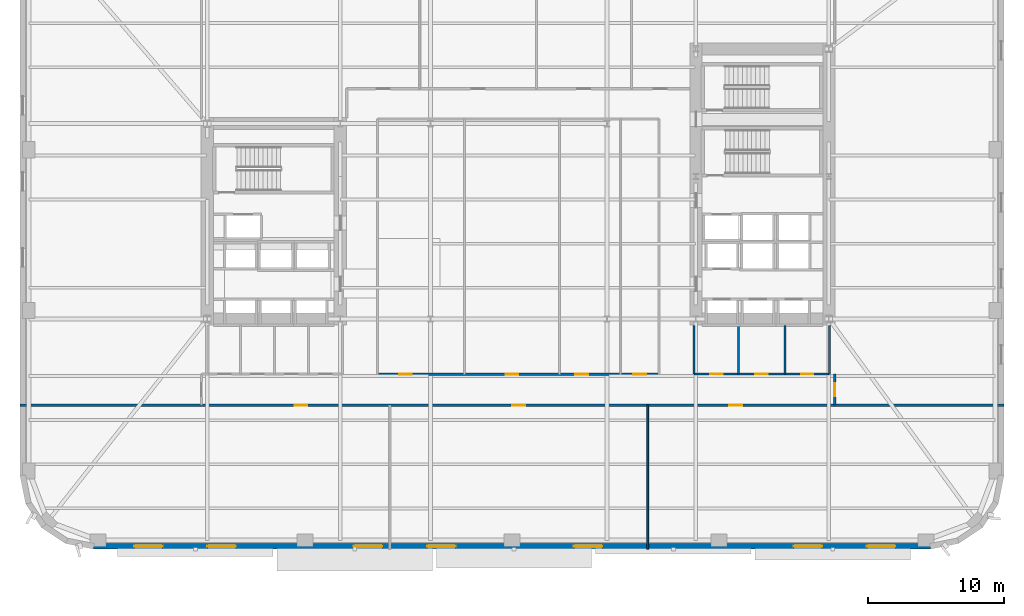
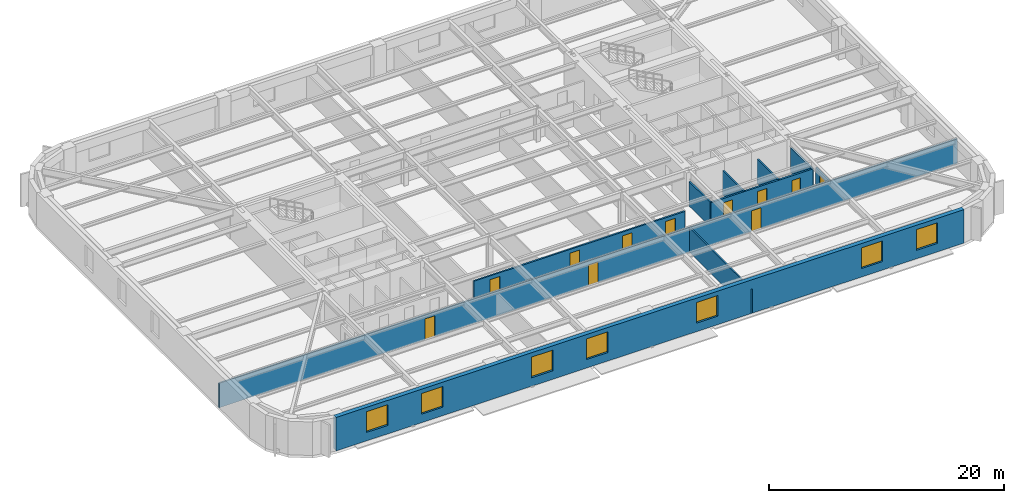
# One storey, part 5 of 15: 11 doors, 10 walls, 7 windows, 18 openings.
"""IFC4 building model written with IfcOpenShell, lengths in metres."""

from ifc_helpers import new_model, si_unit, direction, frame, frame_2d, origin, place, context, subcontext, project, spatial, rectangle, extrude, material, layer, layer_set, type_object, element, fill, save


model = new_model("IFC4")

# Units and contexts
model_context = context("Model", 3, precision=1e-05, world=origin(), true_north=direction((0.0, 1.0)))
body_context = subcontext(model_context, "Body", "Model", "MODEL_VIEW")
ifc_project = project(units=[si_unit("LENGTHUNIT", "METRE"), si_unit("AREAUNIT", "SQUARE_METRE"), si_unit("VOLUMEUNIT", "CUBIC_METRE"), si_unit("PLANEANGLEUNIT", "RADIAN"), si_unit("MASSUNIT", "GRAM", prefix="KILO")], contexts=[model_context])

# Site, building, storey
site_placement = place(None, origin())
site = spatial("IfcSite", under=ifc_project, at=site_placement, CompositionType="ELEMENT")
building_placement = place(site_placement, origin())
building = spatial("IfcBuilding", under=site, at=building_placement, Name="Kolvaren Arena Tower", CompositionType="ELEMENT")
storey_placement = place(building_placement, frame((0.0, 0.0, 60.75)))
storey = spatial("IfcBuildingStorey", under=building, at=storey_placement, Name="L12", CompositionType="ELEMENT", Elevation=60.75)

# Wall, openings, doors
ifc_material_1 = material(Name="Gypsum board acoustic assembly", Category="gypsum")
ifc_layer_1 = layer(ifc_material_1, 0.159912109375)
ifc_layer_set_1 = layer_set([ifc_layer_1], Name="Gypsum board acoustic assembly")
wall_type_1 = type_object("IfcWallType", Name="CORR-160", PredefinedType="PARTITIONING", material=ifc_layer_set_1)
wall_1_placement = place(storey_placement, frame((0.75, 13.10009765625, 0.0), z_axis=(0.0, 0.0, 1.0), x_axis=(1.0, 0.0, 0.0)))
wall_1 = element("IfcWall", 1, at=wall_1_placement, inside=storey, type_object=wall_type_1, Name="Interior Partition Wall (L12)", PredefinedType="PARTITIONING", context=body_context, shape_type="SweptSolid", body=[
    extrude(rectangle(XDim=72.5, YDim=0.159912109375, at=frame_2d((36.25, 0.0))), origin(), (0.0, 0.0, 1.0), 2.5400390625),
])
opening_1_placement = place(wall_1_placement, frame((20.22509765625, 0.0, 0.0)))
opening_1 = element("IfcOpeningElement", 2, at=opening_1_placement, cuts=wall_1, Name="Opening D05", PredefinedType="OPENING", context=body_context, shape_type="SweptSolid", body=[
    extrude(rectangle(XDim=0.949951171875, YDim=2.14990234375, at=frame_2d((0.47509765625, 1.074951171875))), frame((0.0, 0.08984375, 0.0), z_axis=(0.0, -1.0, 0.0), x_axis=(1.0, 0.0, 0.0)), (0.0, 0.0, 1.0), 0.179931640625),
])
opening_2_placement = place(wall_1_placement, frame((36.27490234375, 0.0, 0.0)))
opening_2 = element("IfcOpeningElement", 3, at=opening_2_placement, cuts=wall_1, Name="Opening D05", PredefinedType="OPENING", context=body_context, shape_type="SweptSolid", body=[
    extrude(rectangle(XDim=0.949951171875, YDim=2.14990234375, at=frame_2d((0.47509765625, 1.074951171875))), frame((0.0, 0.08984375, 0.0), z_axis=(0.0, -1.0, 0.0), x_axis=(1.0, 0.0, 0.0)), (0.0, 0.0, 1.0), 0.179931640625),
])
opening_3_placement = place(wall_1_placement, frame((52.27490234375, 0.0, 0.0)))
opening_3 = element("IfcOpeningElement", 4, at=opening_3_placement, cuts=wall_1, Name="Opening D05", PredefinedType="OPENING", context=body_context, shape_type="SweptSolid", body=[
    extrude(rectangle(XDim=0.949951171875, YDim=2.14990234375, at=frame_2d((0.47509765625, 1.074951171875))), frame((0.0, 0.08984375, 0.0), z_axis=(0.0, -1.0, 0.0), x_axis=(1.0, 0.0, 0.0)), (0.0, 0.0, 1.0), 0.179931640625),
])
ifc_material_2 = material(Name="Solid-core oak acoustic office door", Category="wood")
door_type_1 = type_object("IfcDoorType", Name="DOOR-OF-095", OperationType="NOTDEFINED", PredefinedType="DOOR", material=ifc_material_2)
door_1_placement = place(opening_1_placement, origin())
door_1 = element("IfcDoor", 5, at=door_1_placement, inside=storey, type_object=door_type_1, Name="Collaborative Work Studio Door (L12)", OperationType="SINGLE_SWING_RIGHT", OverallHeight=2.14990234375, OverallWidth=0.949951171875, PredefinedType="DOOR", context=body_context, shape_type="SweptSolid", body=[
    extrude(rectangle(XDim=0.949951171875, YDim=2.14990234375, at=frame_2d((0.47509765625, 1.074951171875))), frame((0.0, 0.02490234375, 0.0), z_axis=(0.0, -1.0, 0.0), x_axis=(1.0, 0.0, 0.0)), (0.0, 0.0, 1.0), 0.050048828125),
])
fill(opening_1, door_1)
door_2_placement = place(opening_2_placement, origin())
door_2 = element("IfcDoor", 6, at=door_2_placement, inside=storey, type_object=door_type_1, Name="Collaborative Work Studio Door (L12)", OperationType="SINGLE_SWING_LEFT", OverallHeight=2.14990234375, OverallWidth=0.949951171875, PredefinedType="DOOR", context=body_context, shape_type="SweptSolid", body=[
    extrude(rectangle(XDim=0.949951171875, YDim=2.14990234375, at=frame_2d((0.47509765625, 1.074951171875))), frame((0.0, 0.02490234375, 0.0), z_axis=(0.0, -1.0, 0.0), x_axis=(1.0, 0.0, 0.0)), (0.0, 0.0, 1.0), 0.050048828125),
])
fill(opening_2, door_2)
door_3_placement = place(opening_3_placement, origin())
door_3 = element("IfcDoor", 7, at=door_3_placement, inside=storey, type_object=door_type_1, Name="Collaborative Work Studio Door (L12)", OperationType="SINGLE_SWING_RIGHT", OverallHeight=2.14990234375, OverallWidth=0.949951171875, PredefinedType="DOOR", context=body_context, shape_type="SweptSolid", body=[
    extrude(rectangle(XDim=0.949951171875, YDim=2.14990234375, at=frame_2d((0.47509765625, 1.074951171875))), frame((0.0, 0.02490234375, 0.0), z_axis=(0.0, -1.0, 0.0), x_axis=(1.0, 0.0, 0.0)), (0.0, 0.0, 1.0), 0.050048828125),
])
fill(opening_3, door_3)

wall_2_placement = place(storey_placement, frame((27.080078125, 15.3798828125, 0.0), z_axis=(0.0, 0.0, 1.0), x_axis=(1.0, 0.0, 0.0)))
wall_2 = element("IfcWall", 8, at=wall_2_placement, inside=storey, type_object=wall_type_1, Name="Interior Partition Wall (L12)", PredefinedType="PARTITIONING", context=body_context, shape_type="SweptSolid", body=[
    extrude(rectangle(XDim=20.739990234375, YDim=0.159912109375, at=frame_2d((10.3701171875, 0.0))), origin(), (0.0, 0.0, 1.0), 2.5400390625),
])
opening_4_placement = place(wall_2_placement, frame((1.594970703125, 0.0, 0.0)))
opening_4 = element("IfcOpeningElement", 9, at=opening_4_placement, cuts=wall_2, Name="Opening D05", PredefinedType="OPENING", context=body_context, shape_type="SweptSolid", body=[
    extrude(rectangle(XDim=0.949951171875, YDim=2.14990234375, at=frame_2d((0.47509765625, 1.074951171875))), frame((0.0, 0.08984375, 0.0), z_axis=(0.0, -1.0, 0.0), x_axis=(1.0, 0.0, 0.0)), (0.0, 0.0, 1.0), 0.179931640625),
])
opening_5_placement = place(wall_2_placement, frame((9.445068359375, 0.0, 0.0)))
opening_5 = element("IfcOpeningElement", 10, at=opening_5_placement, cuts=wall_2, Name="Opening D05", PredefinedType="OPENING", context=body_context, shape_type="SweptSolid", body=[
    extrude(rectangle(XDim=0.949951171875, YDim=2.14990234375, at=frame_2d((0.47509765625, 1.074951171875))), frame((0.0, 0.08984375, 0.0), z_axis=(0.0, -1.0, 0.0), x_axis=(1.0, 0.0, 0.0)), (0.0, 0.0, 1.0), 0.179931640625),
])
opening_6_placement = place(wall_2_placement, frame((14.594970703125, 0.0, 0.0)))
opening_6 = element("IfcOpeningElement", 11, at=opening_6_placement, cuts=wall_2, Name="Opening D05", PredefinedType="OPENING", context=body_context, shape_type="SweptSolid", body=[
    extrude(rectangle(XDim=0.949951171875, YDim=2.14990234375, at=frame_2d((0.47509765625, 1.074951171875))), frame((0.0, 0.08984375, 0.0), z_axis=(0.0, -1.0, 0.0), x_axis=(1.0, 0.0, 0.0)), (0.0, 0.0, 1.0), 0.179931640625),
])
opening_7_placement = place(wall_2_placement, frame((18.844970703125, 0.0, 0.0)))
opening_7 = element("IfcOpeningElement", 12, at=opening_7_placement, cuts=wall_2, Name="Opening D05", PredefinedType="OPENING", context=body_context, shape_type="SweptSolid", body=[
    extrude(rectangle(XDim=0.949951171875, YDim=2.14990234375, at=frame_2d((0.47509765625, 1.074951171875))), frame((0.0, 0.08984375, 0.0), z_axis=(0.0, -1.0, 0.0), x_axis=(1.0, 0.0, 0.0)), (0.0, 0.0, 1.0), 0.179931640625),
])
door_4_placement = place(opening_4_placement, origin())
door_4 = element("IfcDoor", 13, at=door_4_placement, inside=storey, type_object=door_type_1, Name="Collaborative Work Studio Door (L12)", OperationType="SINGLE_SWING_LEFT", OverallHeight=2.14990234375, OverallWidth=0.949951171875, PredefinedType="DOOR", context=body_context, shape_type="SweptSolid", body=[
    extrude(rectangle(XDim=0.949951171875, YDim=2.14990234375, at=frame_2d((0.47509765625, 1.074951171875))), frame((0.0, 0.02490234375, 0.0), z_axis=(0.0, -1.0, 0.0), x_axis=(1.0, 0.0, 0.0)), (0.0, 0.0, 1.0), 0.050048828125),
])
fill(opening_4, door_4)
door_5_placement = place(opening_5_placement, origin())
door_5 = element("IfcDoor", 14, at=door_5_placement, inside=storey, type_object=door_type_1, Name="Collaborative Work Studio Door (L12)", OperationType="SINGLE_SWING_RIGHT", OverallHeight=2.14990234375, OverallWidth=0.949951171875, PredefinedType="DOOR", context=body_context, shape_type="SweptSolid", body=[
    extrude(rectangle(XDim=0.949951171875, YDim=2.14990234375, at=frame_2d((0.47509765625, 1.074951171875))), frame((0.0, 0.02490234375, 0.0), z_axis=(0.0, -1.0, 0.0), x_axis=(1.0, 0.0, 0.0)), (0.0, 0.0, 1.0), 0.050048828125),
])
fill(opening_5, door_5)
door_6_placement = place(opening_6_placement, origin())
door_6 = element("IfcDoor", 15, at=door_6_placement, inside=storey, type_object=door_type_1, Name="Executive Office Door (L12)", OperationType="SINGLE_SWING_LEFT", OverallHeight=2.14990234375, OverallWidth=0.949951171875, PredefinedType="DOOR", context=body_context, shape_type="SweptSolid", body=[
    extrude(rectangle(XDim=0.949951171875, YDim=2.14990234375, at=frame_2d((0.47509765625, 1.074951171875))), frame((0.0, 0.02490234375, 0.0), z_axis=(0.0, -1.0, 0.0), x_axis=(1.0, 0.0, 0.0)), (0.0, 0.0, 1.0), 0.050048828125),
])
fill(opening_6, door_6)
door_7_placement = place(opening_7_placement, origin())
door_7 = element("IfcDoor", 16, at=door_7_placement, inside=storey, type_object=door_type_1, Name="Boardroom Door (L12)", OperationType="SINGLE_SWING_RIGHT", OverallHeight=2.14990234375, OverallWidth=0.949951171875, PredefinedType="DOOR", context=body_context, shape_type="SweptSolid", body=[
    extrude(rectangle(XDim=0.949951171875, YDim=2.14990234375, at=frame_2d((0.47509765625, 1.074951171875))), frame((0.0, 0.02490234375, 0.0), z_axis=(0.0, -1.0, 0.0), x_axis=(1.0, 0.0, 0.0)), (0.0, 0.0, 1.0), 0.050048828125),
])
fill(opening_7, door_7)

# Wall, opening, door
wall_3_placement = place(storey_placement, frame((60.780029296875, 13.10009765625, 0.0), z_axis=(0.0, 0.0, 1.0), x_axis=(0.0, 1.0, 0.0)))
wall_3 = element("IfcWall", 17, at=wall_3_placement, inside=storey, type_object=wall_type_1, Name="Interior Partition Wall (L12)", PredefinedType="PARTITIONING", context=body_context, shape_type="SweptSolid", body=[
    extrude(rectangle(XDim=2.2998046875, YDim=0.159912109375, at=frame_2d((1.14990234375, 0.0))), origin(), (0.0, 0.0, 1.0), 2.5400390625),
])
opening_8_placement = place(wall_3_placement, frame((0.64990234375, 0.0, 0.0)))
opening_8 = element("IfcOpeningElement", 18, at=opening_8_placement, cuts=wall_3, Name="Opening D05", PredefinedType="OPENING", context=body_context, shape_type="SweptSolid", body=[
    extrude(rectangle(XDim=0.949951171875, YDim=2.14990234375, at=frame_2d((0.47509765625, 1.074951171875))), frame((0.0, 0.08984375, 0.0), z_axis=(0.0, -1.0, 0.0), x_axis=(1.0, 0.0, 0.0)), (0.0, 0.0, 1.0), 0.179931640625),
])
door_8_placement = place(opening_8_placement, origin())
door_8 = element("IfcDoor", 19, at=door_8_placement, inside=storey, type_object=door_type_1, Name="East Wing Studio Door (L12)", OperationType="SINGLE_SWING_RIGHT", OverallHeight=2.14990234375, OverallWidth=0.949951171875, PredefinedType="DOOR", context=body_context, shape_type="SweptSolid", body=[
    extrude(rectangle(XDim=0.949951171875, YDim=2.14990234375, at=frame_2d((0.47509765625, 1.074951171875))), frame((0.0, 0.02490234375, 0.0), z_axis=(0.0, -1.0, 0.0), x_axis=(1.0, 0.0, 0.0)), (0.0, 0.0, 1.0), 0.050048828125),
])
fill(opening_8, door_8)

# Wall, openings, windows
ifc_material_3 = material(Name="Precast concrete C50/60", Category="concrete")
ifc_layer_2 = layer(ifc_material_3, 0.419921875)
ifc_layer_set_2 = layer_set([ifc_layer_2], Name="Precast concrete C50/60")
wall_type_2 = type_object("IfcWallType", Name="EXT-PIER1", PredefinedType="SOLIDWALL", material=ifc_layer_set_2)
wall_4_placement = place(storey_placement, frame((67.85009765625, 2.7099609375, 0.0), z_axis=(0.0, 0.0, 1.0), x_axis=(-1.0, 0.0, 0.0)))
wall_4 = element("IfcWall", 20, at=wall_4_placement, inside=storey, type_object=wall_type_2, Name="Exterior Precast Masonry-Frame Wall (L12)", PredefinedType="SOLIDWALL", context=body_context, shape_type="SweptSolid", body=[
    extrude(rectangle(XDim=61.7001953125, YDim=0.419921875, at=frame_2d((30.85009765625, 0.0))), origin(), (0.0, 0.0, 1.0), 3.47998046875),
])
opening_9_placement = place(wall_4_placement, frame((2.60009765625, 0.0, 0.8798828125)))
opening_9 = element("IfcOpeningElement", 21, at=opening_9_placement, cuts=wall_4, Name="Opening W01", PredefinedType="OPENING", context=body_context, shape_type="SweptSolid", body=[
    extrude(rectangle(XDim=2.10009765625, YDim=2.14990234375, at=frame_2d((1.050048828125, 1.074951171875))), frame((0.0, 0.219970703125, 0.0), z_axis=(0.0, -1.0, 0.0), x_axis=(1.0, 0.0, 0.0)), (0.0, 0.0, 1.0), 0.43994140625),
])
opening_10_placement = place(wall_4_placement, frame((8.0, 0.0, 0.8798828125)))
opening_10 = element("IfcOpeningElement", 22, at=opening_10_placement, cuts=wall_4, Name="Opening W01", PredefinedType="OPENING", context=body_context, shape_type="SweptSolid", body=[
    extrude(rectangle(XDim=2.10009765625, YDim=2.14990234375, at=frame_2d((1.050048828125, 1.074951171875))), frame((0.0, 0.219970703125, 0.0), z_axis=(0.0, -1.0, 0.0), x_axis=(1.0, 0.0, 0.0)), (0.0, 0.0, 1.0), 0.43994140625),
])
opening_11_placement = place(wall_4_placement, frame((24.199951171875, 0.0, 0.8798828125)))
opening_11 = element("IfcOpeningElement", 23, at=opening_11_placement, cuts=wall_4, Name="Opening W01", PredefinedType="OPENING", context=body_context, shape_type="SweptSolid", body=[
    extrude(rectangle(XDim=2.10009765625, YDim=2.14990234375, at=frame_2d((1.050048828125, 1.074951171875))), frame((0.0, 0.219970703125, 0.0), z_axis=(0.0, -1.0, 0.0), x_axis=(1.0, 0.0, 0.0)), (0.0, 0.0, 1.0), 0.43994140625),
])
opening_12_placement = place(wall_4_placement, frame((35.0, 0.0, 0.8798828125)))
opening_12 = element("IfcOpeningElement", 24, at=opening_12_placement, cuts=wall_4, Name="Opening W01", PredefinedType="OPENING", context=body_context, shape_type="SweptSolid", body=[
    extrude(rectangle(XDim=2.10009765625, YDim=2.14990234375, at=frame_2d((1.050048828125, 1.074951171875))), frame((0.0, 0.219970703125, 0.0), z_axis=(0.0, -1.0, 0.0), x_axis=(1.0, 0.0, 0.0)), (0.0, 0.0, 1.0), 0.43994140625),
])
opening_13_placement = place(wall_4_placement, frame((40.39990234375, 0.0, 0.8798828125)))
opening_13 = element("IfcOpeningElement", 25, at=opening_13_placement, cuts=wall_4, Name="Opening W01", PredefinedType="OPENING", context=body_context, shape_type="SweptSolid", body=[
    extrude(rectangle(XDim=2.10009765625, YDim=2.14990234375, at=frame_2d((1.050048828125, 1.074951171875))), frame((0.0, 0.219970703125, 0.0), z_axis=(0.0, -1.0, 0.0), x_axis=(1.0, 0.0, 0.0)), (0.0, 0.0, 1.0), 0.43994140625),
])
opening_14_placement = place(wall_4_placement, frame((51.199951171875, 0.0, 0.8798828125)))
opening_14 = element("IfcOpeningElement", 26, at=opening_14_placement, cuts=wall_4, Name="Opening W01", PredefinedType="OPENING", context=body_context, shape_type="SweptSolid", body=[
    extrude(rectangle(XDim=2.10009765625, YDim=2.14990234375, at=frame_2d((1.050048828125, 1.074951171875))), frame((0.0, 0.219970703125, 0.0), z_axis=(0.0, -1.0, 0.0), x_axis=(1.0, 0.0, 0.0)), (0.0, 0.0, 1.0), 0.43994140625),
])
opening_15_placement = place(wall_4_placement, frame((56.60009765625, 0.0, 0.8798828125)))
opening_15 = element("IfcOpeningElement", 27, at=opening_15_placement, cuts=wall_4, Name="Opening W01", PredefinedType="OPENING", context=body_context, shape_type="SweptSolid", body=[
    extrude(rectangle(XDim=2.10009765625, YDim=2.14990234375, at=frame_2d((1.050048828125, 1.074951171875))), frame((0.0, 0.219970703125, 0.0), z_axis=(0.0, -1.0, 0.0), x_axis=(1.0, 0.0, 0.0)), (0.0, 0.0, 1.0), 0.43994140625),
])
ifc_material_4 = material(Name="Triple-glazed low-E aluminium window", Category="aluminium")
window_type = type_object("IfcWindowType", Name="WIN-OFF-A", PartitioningType="DOUBLE_PANEL_VERTICAL", PredefinedType="WINDOW", material=ifc_material_4)
window_1_placement = place(opening_9_placement, origin())
window_1 = element("IfcWindow", 28, at=window_1_placement, inside=storey, type_object=window_type, Name="Punched Precast-Pier Window (L12)", OverallHeight=2.14990234375, OverallWidth=2.10009765625, PartitioningType="DOUBLE_PANEL_VERTICAL", PredefinedType="WINDOW", context=body_context, shape_type="SweptSolid", body=[
    extrude(rectangle(XDim=2.10009765625, YDim=2.14990234375, at=frame_2d((1.050048828125, 1.074951171875))), frame((0.0, 0.030029296875, 0.0), z_axis=(0.0, -1.0, 0.0), x_axis=(1.0, 0.0, 0.0)), (0.0, 0.0, 1.0), 0.06005859375),
])
fill(opening_9, window_1)
window_2_placement = place(opening_10_placement, origin())
window_2 = element("IfcWindow", 29, at=window_2_placement, inside=storey, type_object=window_type, Name="Punched Precast-Pier Window (L12)", OverallHeight=2.14990234375, OverallWidth=2.10009765625, PartitioningType="DOUBLE_PANEL_VERTICAL", PredefinedType="WINDOW", context=body_context, shape_type="SweptSolid", body=[
    extrude(rectangle(XDim=2.10009765625, YDim=2.14990234375, at=frame_2d((1.050048828125, 1.074951171875))), frame((0.0, 0.030029296875, 0.0), z_axis=(0.0, -1.0, 0.0), x_axis=(1.0, 0.0, 0.0)), (0.0, 0.0, 1.0), 0.06005859375),
])
fill(opening_10, window_2)
window_3_placement = place(opening_11_placement, origin())
window_3 = element("IfcWindow", 30, at=window_3_placement, inside=storey, type_object=window_type, Name="Punched Precast-Pier Window (L12)", OverallHeight=2.14990234375, OverallWidth=2.10009765625, PartitioningType="DOUBLE_PANEL_VERTICAL", PredefinedType="WINDOW", context=body_context, shape_type="SweptSolid", body=[
    extrude(rectangle(XDim=2.10009765625, YDim=2.14990234375, at=frame_2d((1.050048828125, 1.074951171875))), frame((0.0, 0.030029296875, 0.0), z_axis=(0.0, -1.0, 0.0), x_axis=(1.0, 0.0, 0.0)), (0.0, 0.0, 1.0), 0.06005859375),
])
fill(opening_11, window_3)
window_4_placement = place(opening_12_placement, origin())
window_4 = element("IfcWindow", 31, at=window_4_placement, inside=storey, type_object=window_type, Name="Punched Precast-Pier Window (L12)", OverallHeight=2.14990234375, OverallWidth=2.10009765625, PartitioningType="DOUBLE_PANEL_VERTICAL", PredefinedType="WINDOW", context=body_context, shape_type="SweptSolid", body=[
    extrude(rectangle(XDim=2.10009765625, YDim=2.14990234375, at=frame_2d((1.050048828125, 1.074951171875))), frame((0.0, 0.030029296875, 0.0), z_axis=(0.0, -1.0, 0.0), x_axis=(1.0, 0.0, 0.0)), (0.0, 0.0, 1.0), 0.06005859375),
])
fill(opening_12, window_4)
window_5_placement = place(opening_13_placement, origin())
window_5 = element("IfcWindow", 32, at=window_5_placement, inside=storey, type_object=window_type, Name="Punched Precast-Pier Window (L12)", OverallHeight=2.14990234375, OverallWidth=2.10009765625, PartitioningType="DOUBLE_PANEL_VERTICAL", PredefinedType="WINDOW", context=body_context, shape_type="SweptSolid", body=[
    extrude(rectangle(XDim=2.10009765625, YDim=2.14990234375, at=frame_2d((1.050048828125, 1.074951171875))), frame((0.0, 0.030029296875, 0.0), z_axis=(0.0, -1.0, 0.0), x_axis=(1.0, 0.0, 0.0)), (0.0, 0.0, 1.0), 0.06005859375),
])
fill(opening_13, window_5)
window_6_placement = place(opening_14_placement, origin())
window_6 = element("IfcWindow", 33, at=window_6_placement, inside=storey, type_object=window_type, Name="Punched Precast-Pier Window (L12)", OverallHeight=2.14990234375, OverallWidth=2.10009765625, PartitioningType="DOUBLE_PANEL_VERTICAL", PredefinedType="WINDOW", context=body_context, shape_type="SweptSolid", body=[
    extrude(rectangle(XDim=2.10009765625, YDim=2.14990234375, at=frame_2d((1.050048828125, 1.074951171875))), frame((0.0, 0.030029296875, 0.0), z_axis=(0.0, -1.0, 0.0), x_axis=(1.0, 0.0, 0.0)), (0.0, 0.0, 1.0), 0.06005859375),
])
fill(opening_14, window_6)
window_7_placement = place(opening_15_placement, origin())
window_7 = element("IfcWindow", 34, at=window_7_placement, inside=storey, type_object=window_type, Name="Punched Precast-Pier Window (L12)", OverallHeight=2.14990234375, OverallWidth=2.10009765625, PartitioningType="DOUBLE_PANEL_VERTICAL", PredefinedType="WINDOW", context=body_context, shape_type="SweptSolid", body=[
    extrude(rectangle(XDim=2.10009765625, YDim=2.14990234375, at=frame_2d((1.050048828125, 1.074951171875))), frame((0.0, 0.030029296875, 0.0), z_axis=(0.0, -1.0, 0.0), x_axis=(1.0, 0.0, 0.0)), (0.0, 0.0, 1.0), 0.06005859375),
])
fill(opening_15, window_7)

# Wall
ifc_material_5 = material(Name="Gypsum board partition assembly", Category="gypsum")
ifc_layer_3 = layer(ifc_material_5, 0.135009765625)
ifc_layer_set_3 = layer_set([ifc_layer_3], Name="Gypsum board partition assembly")
wall_type_3 = type_object("IfcWallType", Name="PART-135", PredefinedType="PARTITIONING", material=ifc_layer_set_3)
wall_5_placement = place(storey_placement, frame((47.0, 2.5, 0.0), z_axis=(0.0, 0.0, 1.0), x_axis=(0.0, 1.0, 0.0)))
element("IfcWall", 35, at=wall_5_placement, inside=storey, type_object=wall_type_3, Name="Interior Partition Wall (L12)", PredefinedType="PARTITIONING", context=body_context, shape_type="SweptSolid", body=[
    extrude(rectangle(XDim=10.60009765625, YDim=0.135009765625, at=frame_2d((5.300048828125, 0.0))), origin(), (0.0, 0.0, 1.0), 2.5400390625),
])

# Wall, openings, doors
ifc_material_6 = material(Name="Concrete 45 MPa", Category="concrete")
ifc_layer_4 = layer(ifc_material_6, 0.25)
ifc_layer_set_4 = layer_set([ifc_layer_4], Name="Concrete 45 MPa")
wall_type_4 = type_object("IfcWallType", Name="SHAFT-250", PredefinedType="SOLIDWALL", material=ifc_layer_set_4)
wall_6_placement = place(storey_placement, frame((50.39990234375, 15.39990234375, 0.0), z_axis=(0.0, 0.0, 1.0), x_axis=(1.0, 0.0, 0.0)))
wall_6 = element("IfcWall", 36, at=wall_6_placement, inside=storey, type_object=wall_type_4, Name="Interior Partition Wall (L12)", PredefinedType="SOLIDWALL", context=body_context, shape_type="SweptSolid", body=[
    extrude(rectangle(XDim=10.0, YDim=0.179931640625, at=frame_2d((5.0, 0.0))), origin(), (0.0, 0.0, 1.0), 2.5400390625),
])
opening_16_placement = place(wall_6_placement, frame((1.18994140625, 0.0, 0.0)))
opening_16 = element("IfcOpeningElement", 37, at=opening_16_placement, cuts=wall_6, Name="Opening D07", PredefinedType="OPENING", context=body_context, shape_type="SweptSolid", body=[
    extrude(rectangle(XDim=0.919921875, YDim=2.10009765625, at=frame_2d((0.4599609375, 1.050048828125))), frame((0.0, 0.099853515625, 0.0), z_axis=(0.0, -1.0, 0.0), x_axis=(1.0, 0.0, 0.0)), (0.0, 0.0, 1.0), 0.199951171875),
])
opening_17_placement = place(wall_6_placement, frame((4.5400390625, 0.0, 0.0)))
opening_17 = element("IfcOpeningElement", 38, at=opening_17_placement, cuts=wall_6, Name="Opening D07", PredefinedType="OPENING", context=body_context, shape_type="SweptSolid", body=[
    extrude(rectangle(XDim=0.919921875, YDim=2.10009765625, at=frame_2d((0.4599609375, 1.050048828125))), frame((0.0, 0.099853515625, 0.0), z_axis=(0.0, -1.0, 0.0), x_axis=(1.0, 0.0, 0.0)), (0.0, 0.0, 1.0), 0.199951171875),
])
opening_18_placement = place(wall_6_placement, frame((7.919921875, 0.0, 0.0)))
opening_18 = element("IfcOpeningElement", 39, at=opening_18_placement, cuts=wall_6, Name="Opening D09", PredefinedType="OPENING", context=body_context, shape_type="SweptSolid", body=[
    extrude(rectangle(XDim=0.860107421875, YDim=2.050048828125, at=frame_2d((0.43017578125, 1.02490234375))), frame((0.0, 0.099853515625, 0.0), z_axis=(0.0, -1.0, 0.0), x_axis=(1.0, 0.0, 0.0)), (0.0, 0.0, 1.0), 0.199951171875),
])
ifc_material_7 = material(Name="Fire-rated steel riser access door", Category="steel")
door_type_2 = type_object("IfcDoorType", Name="DOOR-RS-086", OperationType="NOTDEFINED", PredefinedType="DOOR", material=ifc_material_7)
door_9_placement = place(opening_18_placement, origin())
door_9 = element("IfcDoor", 40, at=door_9_placement, inside=storey, type_object=door_type_2, Name="Mechanical Riser Closet Door (L12)", OperationType="SINGLE_SWING_RIGHT", OverallHeight=2.050048828125, OverallWidth=0.860107421875, PredefinedType="DOOR", context=body_context, shape_type="SweptSolid", body=[
    extrude(rectangle(XDim=0.860107421875, YDim=2.050048828125, at=frame_2d((0.43017578125, 1.02490234375))), frame((0.0, 0.02490234375, 0.0), z_axis=(0.0, -1.0, 0.0), x_axis=(1.0, 0.0, 0.0)), (0.0, 0.0, 1.0), 0.050048828125),
])
fill(opening_18, door_9)
ifc_material_8 = material(Name="Laminate universal washroom door", Category="wood")
door_type_3 = type_object("IfcDoorType", Name="DOOR-WC-092", OperationType="NOTDEFINED", PredefinedType="DOOR", material=ifc_material_8)
door_10_placement = place(opening_16_placement, origin())
door_10 = element("IfcDoor", 41, at=door_10_placement, inside=storey, type_object=door_type_3, Name="Staff Pantry Door (L12)", OperationType="SINGLE_SWING_RIGHT", OverallHeight=2.10009765625, OverallWidth=0.919921875, PredefinedType="DOOR", context=body_context, shape_type="SweptSolid", body=[
    extrude(rectangle(XDim=0.919921875, YDim=2.10009765625, at=frame_2d((0.4599609375, 1.050048828125))), frame((0.0, 0.02490234375, 0.0), z_axis=(0.0, -1.0, 0.0), x_axis=(1.0, 0.0, 0.0)), (0.0, 0.0, 1.0), 0.050048828125),
])
fill(opening_16, door_10)
door_11_placement = place(opening_17_placement, origin())
door_11 = element("IfcDoor", 42, at=door_11_placement, inside=storey, type_object=door_type_3, Name="Gender-Neutral Washroom Door (L12)", OperationType="SINGLE_SWING_LEFT", OverallHeight=2.10009765625, OverallWidth=0.919921875, PredefinedType="DOOR", context=body_context, shape_type="SweptSolid", body=[
    extrude(rectangle(XDim=0.919921875, YDim=2.10009765625, at=frame_2d((0.4599609375, 1.050048828125))), frame((0.0, 0.02490234375, 0.0), z_axis=(0.0, -1.0, 0.0), x_axis=(1.0, 0.0, 0.0)), (0.0, 0.0, 1.0), 0.050048828125),
])
fill(opening_17, door_11)

# Walls
ifc_material_9 = material(Name="Moisture-resistant gypsum assembly", Category="gypsum")
ifc_layer_5 = layer(ifc_material_9, 0.14990234375)
ifc_layer_set_5 = layer_set([ifc_layer_5], Name="Moisture-resistant gypsum assembly")
wall_type_5 = type_object("IfcWallType", Name="WETW-150", PredefinedType="PARTITIONING", material=ifc_layer_set_5)
for number, where, z_axis, x_axis, name in (
    (43, (53.699951171875, 15.39990234375, 0.0), (0.0, 0.0, 1.0), (0.0, 1.0, 0.0), "Interior Partition Wall (L12)"),
    (44, (57.10009765625, 15.39990234375, 0.0), (0.0, 0.0, 1.0), (0.0, 1.0, 0.0), "Interior Partition Wall (L12)"),
    (45, (50.39990234375, 15.39990234375, 0.0), (0.0, 0.0, 1.0), (0.0, 1.0, 0.0), "Interior Partition Wall (L12)"),
    (46, (60.39990234375, 15.39990234375, 0.0), (0.0, 0.0, 1.0), (0.0, 1.0, 0.0), "Interior Partition Wall (L12)"),
):
    element("IfcWall", number, at=place(storey_placement, frame(where, z_axis=z_axis, x_axis=x_axis)), inside=storey, type_object=wall_type_5, Name=name, PredefinedType="PARTITIONING", context=body_context, shape_type="SweptSolid", body=[
        extrude(rectangle(XDim=3.580078125, YDim=0.14990234375, at=frame_2d((1.7900390625, 0.0))), origin(), (0.0, 0.0, 1.0), 2.5400390625),
    ])

save(model, "model.ifc")
